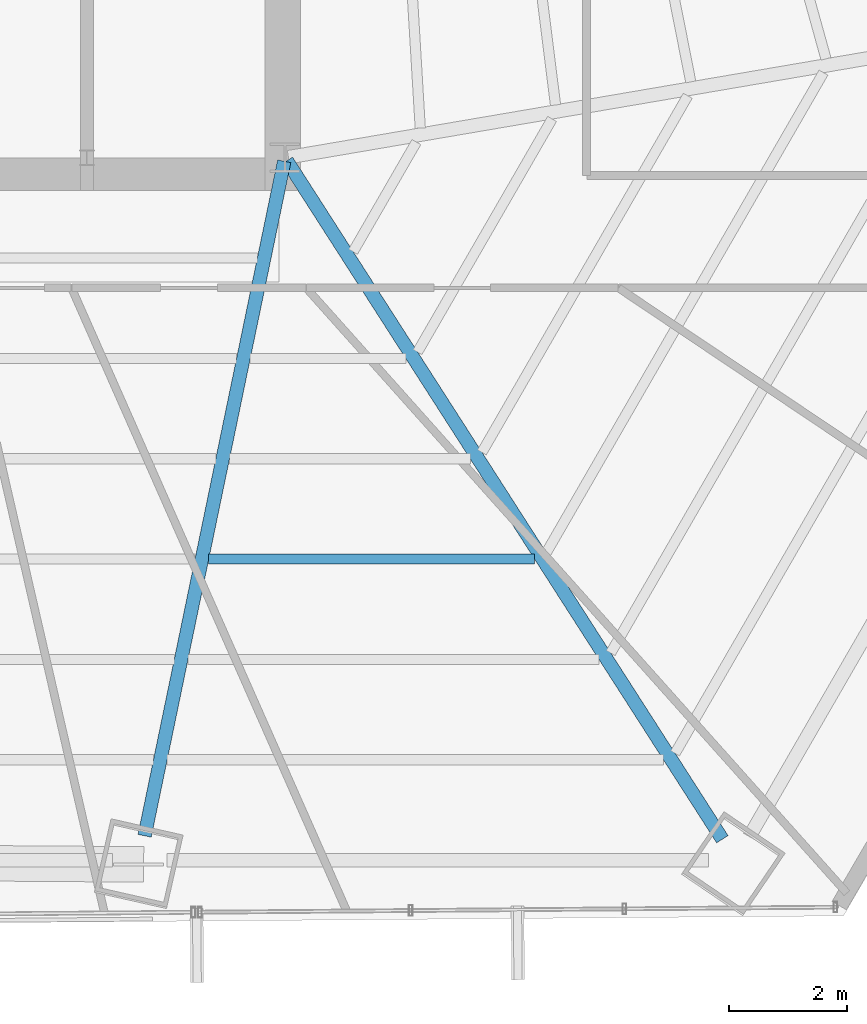
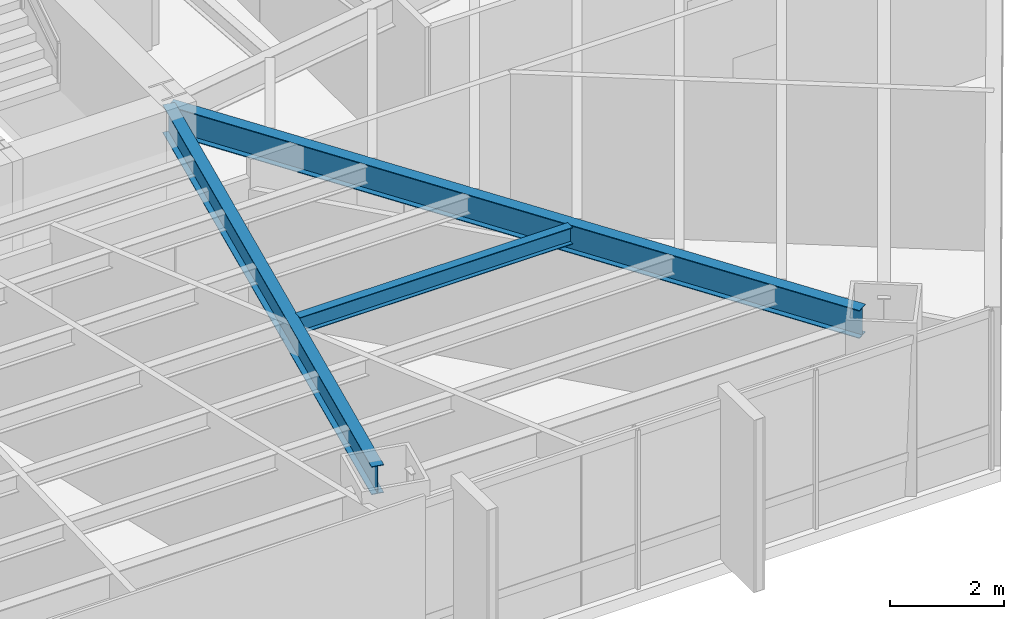
# One storey, part 17 of 36: 3 beams.
"""IFC4 building model written with IfcOpenShell, lengths in metres."""

from ifc_helpers import new_model, si_unit, direction, frame, origin, origin_2d, place, context, subcontext, project, spatial, i_section, extrude, source, transform, mapped, material, material_profile, profile_set, type_object, type_shapes, element, save


model = new_model("IFC4")

# Units and contexts
model_context = context("Model", 3, precision=1e-05, world=origin(), true_north=direction((0.0, 1.0)))
body_context = subcontext(model_context, "Body", "Model", "MODEL_VIEW")
ifc_project = project(units=[si_unit("LENGTHUNIT", "METRE"), si_unit("AREAUNIT", "SQUARE_METRE"), si_unit("VOLUMEUNIT", "CUBIC_METRE"), si_unit("PLANEANGLEUNIT", "RADIAN"), si_unit("MASSUNIT", "GRAM", prefix="KILO")], contexts=[model_context])

# Site, building, storey
site_placement = place(None, origin())
site = spatial("IfcSite", under=ifc_project, at=site_placement, CompositionType="ELEMENT")
building_placement = place(site_placement, origin())
building = spatial("IfcBuilding", under=site, at=building_placement, Name="Caelisora Broadcast Tower", CompositionType="ELEMENT")
storey_placement = place(building_placement, frame((0.0, 0.0, 60.449951171875)))
storey = spatial("IfcBuildingStorey", under=building, at=storey_placement, Name="L15", CompositionType="ELEMENT", Elevation=60.449951171875)

# Beams
ifc_material = material(Name="Steel Grade 350 (AS/NZS 3679.1)", Category="steel")
ifc_material_profile_1 = material_profile(ifc_material, i_section(OverallWidth=0.22802734375, OverallDepth=0.602294921875, WebThickness=0.010498046875, FlangeThickness=0.014892578125, at=origin_2d()), Name="Steel Grade 350 (AS/NZS 3679.1)")
ifc_profile_set_1 = profile_set([ifc_material_profile_1], Name="Steel Grade 350 (AS/NZS 3679.1)")
beam_type_1 = type_object("IfcBeamType", Name="PG04", PredefinedType="BEAM", material=ifc_profile_set_1)
shared_shape_1 = source(origin(), body_context, "Body", "SweptSolid", [
    extrude(i_section(OverallWidth=0.22802734375, OverallDepth=0.602294921875, WebThickness=0.010498046875, FlangeThickness=0.014892578125, at=origin_2d()), origin(), (0.0, 0.0, 1.0), 13.63330078125),
])
beam_1_placement = place(storey_placement, frame((45.532470703125, 17.349609375, 3.098876953125), z_axis=(0.540181836543, -0.841548325095, 0.0), x_axis=(0.841548325095, 0.540181836543, 0.0)))
element("IfcBeam", 1, at=beam_1_placement, inside=storey, type_object=beam_type_1, Name="L15 beam PG04", PredefinedType="BEAM", context=body_context, shape_type="MappedRepresentation", body=[
    mapped(shared_shape_1, transform((0.0, 0.0, 0.0), scale=1.0)),
])
shared_shape_2 = source(origin(), body_context, "Body", "SweptSolid", [
    extrude(i_section(OverallWidth=0.22802734375, OverallDepth=0.602294921875, WebThickness=0.010498046875, FlangeThickness=0.014892578125, at=origin_2d()), origin(), (0.0, 0.0, 1.0), 11.64892578125),
])
type_shapes(beam_type_1, [shared_shape_1, shared_shape_2])
beam_2_placement = place(storey_placement, frame((45.48779296875, 17.34130859375, 3.098876953125), z_axis=(-0.202709558426, -0.979238905948, 0.0), x_axis=(0.979238905948, -0.202709558426, 0.0)))
element("IfcBeam", 2, at=beam_2_placement, inside=storey, type_object=beam_type_1, Name="L15 beam PG04", PredefinedType="BEAM", context=body_context, shape_type="MappedRepresentation", body=[
    mapped(shared_shape_2, transform((0.0, 0.0, 0.0), scale=1.0)),
])
ifc_material_profile_2 = material_profile(ifc_material, i_section(OverallWidth=0.172119140625, OverallDepth=0.358642578125, WebThickness=0.008056640625, FlangeThickness=0.012939453125, at=origin_2d()), Name="Steel Grade 350 (AS/NZS 3679.1)")
ifc_profile_set_2 = profile_set([ifc_material_profile_2], Name="Steel Grade 350 (AS/NZS 3679.1)")
beam_type_2 = type_object("IfcBeamType", Name="SB02", PredefinedType="JOIST", material=ifc_profile_set_2)
shared_shape_3 = source(origin(), body_context, "Body", "SweptSolid", [
    extrude(i_section(OverallWidth=0.172119140625, OverallDepth=0.358642578125, WebThickness=0.008056640625, FlangeThickness=0.012939453125, at=origin_2d()), origin(), (0.0, 0.0, 1.0), 5.515625),
])
type_shapes(beam_type_2, [shared_shape_3])
beam_3_placement = place(storey_placement, frame((44.20849609375, 10.613037109375, 3.220703125), z_axis=(1.0, 0.0, 0.0), x_axis=(0.0, 1.0, 0.0)))
element("IfcBeam", 3, at=beam_3_placement, inside=storey, type_object=beam_type_2, Name="L15 beam SB02", PredefinedType="JOIST", context=body_context, shape_type="MappedRepresentation", body=[
    mapped(shared_shape_3, transform((0.0, 0.0, 0.0), scale=1.0)),
])

save(model, "model.ifc")
